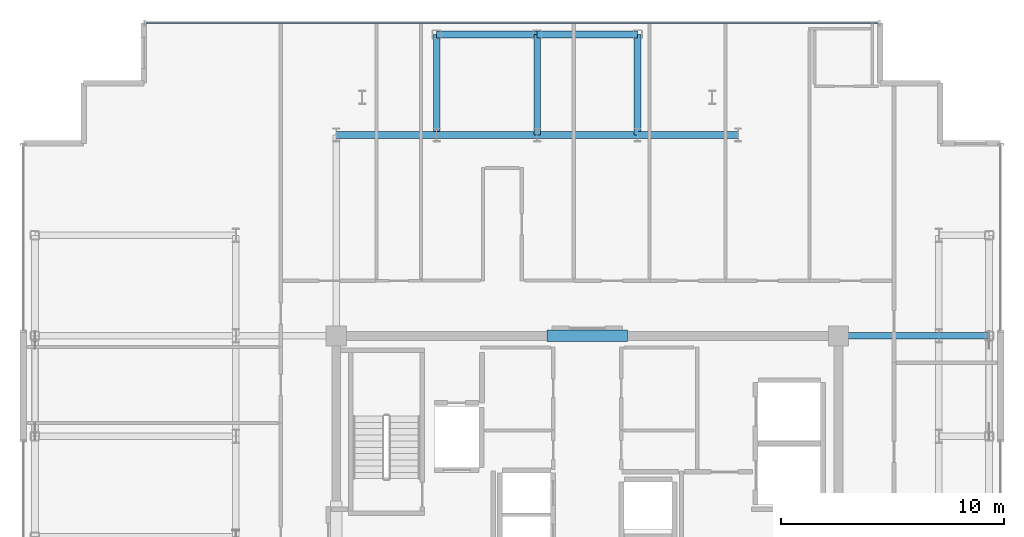
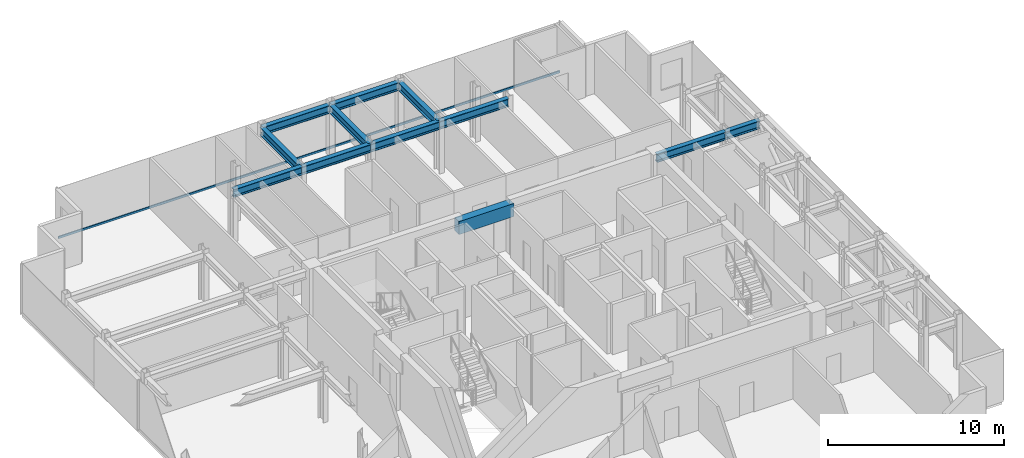
# One storey, part 8 of 16: 12 beams, 1 member, 1 element without a shape of its own.
"""IFC4 building model written with IfcOpenShell, lengths in metres."""

import ifcopenshell
import ifcopenshell.guid

model = None  # the IFC model being written
_history = None  # IfcOwnerHistory: only IFC2X3 demands one
_inside = {}  # id of a spatial element -> (the spatial element, [elements in it])
_under = {}  # id of a project, library or spatial element -> (it, [spatial elements below it])
_declared = {}  # id of a project -> (the project, [libraries it declares])
_typed = {}  # id of a type object -> (the type object, [elements of that type])
_made_of = {}  # id of a material, layer set ... -> (it, [elements and type objects made of it])


def new_model(schema):
    """Start an empty IFC model of exactly this schema.

    Asked for "IFC4X3", IfcOpenShell would pick the latest addendum, in which some entities
    have other attributes; the version numbers below select the first issue.
    IFC2X3 requires an IfcOwnerHistory on every rooted entity: one is made here for all.
    """
    global model, _history
    if schema == "IFC4X3":
        model = ifcopenshell.file(schema_version=(4, 3, 0, 0))
    else:
        model = ifcopenshell.file(schema=schema)
    _inside.clear()
    _under.clear()
    _declared.clear()
    _typed.clear()
    _made_of.clear()
    _history = None
    if model.schema == "IFC2X3":
        org = make("IfcOrganization", Name="unknown")
        user = make(
            "IfcPersonAndOrganization",
            ThePerson=make("IfcPerson", FamilyName="unknown"),
            TheOrganization=org,
        )
        app = make(
            "IfcApplication",
            ApplicationDeveloper=org,
            Version="unknown",
            ApplicationFullName="unknown",
            ApplicationIdentifier="unknown",
        )
        _history = make(
            "IfcOwnerHistory",
            OwningUser=user,
            OwningApplication=app,
            ChangeAction="ADDED",
            CreationDate=0,
        )
    return model


def make(cls, **values):
    """One entity of the class cls with the attributes given. An attribute that is None is left unset."""
    return model.create_entity(
        cls, **{name: value for name, value in values.items() if value is not None}
    )


def rooted(cls, **values):
    """An entity with a GlobalId (a new one), such as an element, a storey or a relation."""
    return make(cls, GlobalId=ifcopenshell.guid.new(), OwnerHistory=_history, **values)


def si_unit(unit_type, name, prefix=None):
    """IfcSIUnit, for example si_unit("LENGTHUNIT", "METRE", prefix="MILLI")."""
    return make("IfcSIUnit", UnitType=unit_type, Prefix=prefix, Name=name)


def assignment(units):
    """IfcUnitAssignment: the units of a project."""
    return None if units is None else make("IfcUnitAssignment", Units=units)


def point(xyz):
    """IfcCartesianPoint."""
    return None if xyz is None else make("IfcCartesianPoint", Coordinates=xyz)


def direction(xyz):
    """IfcDirection."""
    return None if xyz is None else make("IfcDirection", DirectionRatios=xyz)


def frame(location, z_axis=None, x_axis=None):
    """IfcAxis2Placement3D, a coordinate frame: its origin and axes. An axis left out is left unset."""
    return make(
        "IfcAxis2Placement3D",
        Location=point(location),
        Axis=direction(z_axis),
        RefDirection=direction(x_axis),
    )


def frame_2d(location, x_axis=None):
    """IfcAxis2Placement2D, a coordinate frame in the plane: its origin and x axis."""
    return make(
        "IfcAxis2Placement2D", Location=point(location), RefDirection=direction(x_axis)
    )


def origin():
    """The frame at (0, 0, 0) with its axes left unset."""
    return frame((0.0, 0.0, 0.0))


def origin_2d():
    """The frame at (0, 0) in the plane with its x axis left unset."""
    return frame_2d((0.0, 0.0))


def place(relative_to, where):
    """IfcLocalPlacement: puts the frame where relative to a parent placement (None: the world)."""
    return make(
        "IfcLocalPlacement", PlacementRelTo=relative_to, RelativePlacement=where
    )


def context(
    kind, dimensions, precision=None, world=None, true_north=None, identifier=None
):
    """IfcGeometricRepresentationContext, for example the 3D "Model" context."""
    return make(
        "IfcGeometricRepresentationContext",
        ContextIdentifier=identifier,
        ContextType=kind,
        CoordinateSpaceDimension=dimensions,
        Precision=precision,
        WorldCoordinateSystem=world,
        TrueNorth=true_north,
    )


def subcontext(parent, identifier, kind, view, scale=None):
    """IfcGeometricRepresentationSubContext, for example "Body" below "Model"."""
    return make(
        "IfcGeometricRepresentationSubContext",
        ContextIdentifier=identifier,
        ContextType=kind,
        ParentContext=parent,
        TargetScale=scale,
        TargetView=view,
    )


def project(units=None, contexts=None):
    """IfcProject with its units and contexts."""
    return rooted(
        "IfcProject",
        Name="project",
        RepresentationContexts=contexts,
        UnitsInContext=assignment(units),
    )


def spatial(cls, under=None, at=None, **own):
    """A site, building, storey or space (cls), placed at a placement, below another one or the project."""
    s = rooted(cls, ObjectPlacement=at, **own)
    if under is not None:
        _under.setdefault(under.id(), (under, []))[1].append(s)
    return s


def profile(cls, at=None, kind="AREA", **sizes):
    """A parametric profile (cls). Its sizes go by their IFC names, for example OverallWidth=200.0."""
    return make(cls, ProfileType=kind, Position=at, **sizes)


def rectangle(**sizes):
    """IfcRectangleProfileDef."""
    return profile("IfcRectangleProfileDef", **sizes)


def hollow_rectangle(**sizes):
    """IfcRectangleHollowProfileDef."""
    return profile("IfcRectangleHollowProfileDef", **sizes)


def i_section(**sizes):
    """IfcIShapeProfileDef."""
    return profile("IfcIShapeProfileDef", **sizes)


def extrude(swept, where, along, depth):
    """IfcExtrudedAreaSolid: the profile swept, set in the frame where, extruded along a direction by depth."""
    return make(
        "IfcExtrudedAreaSolid",
        SweptArea=swept,
        Position=where,
        ExtrudedDirection=direction(along),
        Depth=depth,
    )


def shape(context_of_items, identifier, shape_type, items):
    """IfcShapeRepresentation: the items that make up one representation, for example the "Body"."""
    return make(
        "IfcShapeRepresentation",
        ContextOfItems=context_of_items,
        RepresentationIdentifier=identifier,
        RepresentationType=shape_type,
        Items=items,
    )


def source(mapping_origin, context_of_items, identifier, shape_type, items):
    """IfcRepresentationMap: a shape defined once, which mapped items show again and again."""
    return make(
        "IfcRepresentationMap",
        MappingOrigin=mapping_origin,
        MappedRepresentation=shape(context_of_items, identifier, shape_type, items),
    )


def transform(
    local_origin,
    x_axis=None,
    y_axis=None,
    z_axis=None,
    scale=None,
    scale2=None,
    scale3=None,
    uniform=True,
):
    """IfcCartesianTransformationOperator3D, or its non-uniform kind. x_axis, y_axis, z_axis: its Axis1, 2, 3."""
    if uniform:
        return make(
            "IfcCartesianTransformationOperator3D",
            Axis1=direction(x_axis),
            Axis2=direction(y_axis),
            LocalOrigin=point(local_origin),
            Scale=scale,
            Axis3=direction(z_axis),
        )
    return make(
        "IfcCartesianTransformationOperator3DnonUniform",
        Axis1=direction(x_axis),
        Axis2=direction(y_axis),
        LocalOrigin=point(local_origin),
        Scale=scale,
        Axis3=direction(z_axis),
        Scale2=scale2,
        Scale3=scale3,
    )


def mapped(mapping_source, mapping_target):
    """IfcMappedItem: shows the shape of a source again, moved by a transform."""
    return make(
        "IfcMappedItem", MappingSource=mapping_source, MappingTarget=mapping_target
    )


def material(Name=None, Category=None):
    """IfcMaterial."""
    return make("IfcMaterial", Name=Name, Category=Category)


def layer(
    of_material, thickness, ventilated=None, Name=None, Category=None, Priority=None
):
    """IfcMaterialLayer: one layer of a wall or slab, of a material (None: an air gap)."""
    return make(
        "IfcMaterialLayer",
        Material=of_material,
        LayerThickness=thickness,
        IsVentilated=ventilated,
        Name=Name,
        Category=Category,
        Priority=Priority,
    )


def layer_set(layers, Name=None):
    """IfcMaterialLayerSet."""
    return make("IfcMaterialLayerSet", MaterialLayers=layers, LayerSetName=Name)


def material_profile(
    of_material, cross_section, Name=None, Category=None, Priority=None
):
    """IfcMaterialProfile: a cross section and its material."""
    return make(
        "IfcMaterialProfile",
        Name=Name,
        Material=of_material,
        Profile=cross_section,
        Priority=Priority,
        Category=Category,
    )


def profile_set(profiles, Name=None, composite=None):
    """IfcMaterialProfileSet."""
    return make(
        "IfcMaterialProfileSet",
        Name=Name,
        MaterialProfiles=profiles,
        CompositeProfile=composite,
    )


def made_of(thing, what):
    """Note that an element or type object is made of a material, layer set ...; save() writes the relation."""
    if what is not None:
        _made_of.setdefault(what.id(), (what, []))[1].append(thing)
    return thing


def type_object(cls, material=None, **own):
    """A type object (cls), such as IfcWallType, which elements share."""
    return made_of(rooted(cls, **own), material)


def element(
    cls,
    number,
    at=None,
    inside=None,
    cuts=None,
    type_object=None,
    material=None,
    context=None,
    identifier="Body",
    shape_type=None,
    held_by="IfcProductDefinitionShape",
    body=None,
    shapes=None,
    **own,
):
    """One element of the class cls, such as IfcWall. Its Tag is "e" and its number.

    at: its placement. inside: the storey or other place that contains it. cuts: it is an
    opening in that element (IfcRelVoidsElement). A single representation is given by context,
    identifier, shape_type and body (its items); several are given by shapes. held_by: the class
    of the entity that holds the representations. save() writes the other relations.
    """
    e = rooted(cls, Tag="e%d" % number, ObjectPlacement=at, **own)
    if body is not None:
        shapes = [shape(context, identifier, shape_type, body)]
    if shapes is not None:
        e.Representation = make(held_by, Representations=shapes)
    if inside is not None:
        _inside.setdefault(inside.id(), (inside, []))[1].append(e)
    if cuts is not None:
        rooted(
            "IfcRelVoidsElement", RelatingBuildingElement=cuts, RelatedOpeningElement=e
        )
    if type_object is not None:
        _typed.setdefault(type_object.id(), (type_object, []))[1].append(e)
    return made_of(e, material)


def aggregate(whole, parts):
    """IfcRelAggregates: a whole, such as a stair, and the parts it consists of."""
    return rooted("IfcRelAggregates", RelatingObject=whole, RelatedObjects=parts)


def save(model, path):
    """Write the relations noted so far, then the file.

    IfcRelAggregates (storeys below a building ...), IfcRelContainedInSpatialStructure (elements
    in a storey), IfcRelDefinesByType, IfcRelAssociatesMaterial and IfcRelDeclares: one each for
    every whole, place, type object, material and project.
    """
    for whole, parts in _under.values():
        aggregate(whole, parts)
    for where, things in _inside.values():
        rooted(
            "IfcRelContainedInSpatialStructure",
            RelatedElements=things,
            RelatingStructure=where,
        )
    for kind, things in _typed.values():
        rooted("IfcRelDefinesByType", RelatedObjects=things, RelatingType=kind)
    for what, things in _made_of.values():
        rooted("IfcRelAssociatesMaterial", RelatedObjects=things, RelatingMaterial=what)
    for by, libraries in _declared.values():
        rooted("IfcRelDeclares", RelatingContext=by, RelatedDefinitions=libraries)
    model.write(path)


model = new_model("IFC4")

# Units and contexts
model_context = context("Model", 3, precision=1e-05, world=origin(), true_north=direction((0.0, 1.0)))
body_context = subcontext(model_context, "Body", "Model", "MODEL_VIEW")
ifc_project = project(units=[si_unit("LENGTHUNIT", "METRE"), si_unit("AREAUNIT", "SQUARE_METRE"), si_unit("VOLUMEUNIT", "CUBIC_METRE"), si_unit("PLANEANGLEUNIT", "RADIAN"), si_unit("MASSUNIT", "GRAM", prefix="KILO")], contexts=[model_context])

# Site, building, storey
site_placement = place(None, origin())
site = spatial("IfcSite", under=ifc_project, at=site_placement, CompositionType="ELEMENT")
building_placement = place(site_placement, origin())
building = spatial("IfcBuilding", under=site, at=building_placement, Name="Nefas-Gora Pilgrimage Tower", CompositionType="ELEMENT")
storey_placement = place(building_placement, frame((0.0, 0.0, 345.199951171875)))
storey = spatial("IfcBuildingStorey", under=building, at=storey_placement, Name="L87", CompositionType="ELEMENT", Elevation=345.199951171875)

# Beams
ifc_material_1 = material(Name="Concrete C50/60", Category="concrete")
ifc_material_profile_1 = material_profile(ifc_material_1, rectangle(XDim=0.5, YDim=0.89990234375, at=origin_2d()), Name="RC 500x900")
ifc_profile_set_1 = profile_set([ifc_material_profile_1], Name="Concrete C50/60")
beam_type_1 = type_object("IfcBeamType", Name="BM-LIN-RC900", PredefinedType="LINTEL", material=ifc_profile_set_1)
shared_shape_1 = source(origin(), body_context, "Body", "SweptSolid", [
    extrude(rectangle(XDim=0.5, YDim=0.89990234375, at=origin_2d()), origin(), (0.0, 0.0, 1.0), 3.60009765625),
])
beam_1_placement = place(storey_placement, frame((-1.800048828125, 9.0, 3.050048828125), z_axis=(1.0, 0.0, 0.0), x_axis=(0.0, 1.0, 0.0)))
element("IfcBeam", 1, at=beam_1_placement, inside=storey, type_object=beam_type_1, Name="L87 Core Coupling Lintel Beam N", PredefinedType="LINTEL", context=body_context, shape_type="MappedRepresentation", body=[
    mapped(shared_shape_1, transform((0.0, 0.0, 0.0), x_axis=(1.0, 0.0, 0.0), y_axis=(0.0, 1.0, 0.0), z_axis=(0.0, 0.0, 1.0), scale=1.0)),
])
ifc_material_2 = material(Name="Steel S355", Category="steel")
ifc_material_profile_2 = material_profile(ifc_material_2, i_section(OverallWidth=0.300048828125, OverallDepth=0.550048828125, WebThickness=0.014892578125, FlangeThickness=0.029052734375, FilletRadius=0.027099609375, at=origin_2d()), Name="HEB 550")
ifc_profile_set_2 = profile_set([ifc_material_profile_2], Name="Steel S355")
beam_type_2 = type_object("IfcBeamType", Name="BM-SPN-HEB400", PredefinedType="SPANDREL", material=ifc_profile_set_2)
shared_shape_2 = source(origin(), body_context, "Body", "SweptSolid", [
    extrude(i_section(OverallWidth=0.300048828125, OverallDepth=0.550048828125, WebThickness=0.014892578125, FlangeThickness=0.029052734375, FilletRadius=0.027099609375, at=origin_2d()), origin(), (0.0, 0.0, 1.0), 4.5),
])
for number, where, z_axis, x_axis, name in (
    (2, (-6.75, 22.5, 3.22509765625), (1.0, 0.0, 0.0), (0.0, 1.0, 0.0), "L87 SP-04 beam"),
    (3, (-2.25, 22.5, 3.22509765625), (1.0, 0.0, 0.0), (0.0, 1.0, 0.0), "L87 SP-04 beam"),
):
    element("IfcBeam", number, at=place(storey_placement, frame(where, z_axis=z_axis, x_axis=x_axis)), inside=storey, type_object=beam_type_2, Name=name, PredefinedType="SPANDREL", context=body_context, shape_type="MappedRepresentation", body=[
        mapped(shared_shape_2, transform((0.0, 0.0, 0.0), x_axis=(1.0, 0.0, 0.0), y_axis=(0.0, 1.0, 0.0), z_axis=(0.0, 0.0, 1.0), scale=1.0)),
    ])
ifc_material_profile_3 = material_profile(ifc_material_2, i_section(OverallWidth=0.300048828125, OverallDepth=0.550048828125, WebThickness=0.014892578125, FlangeThickness=0.029052734375, FilletRadius=0.027099609375, at=origin_2d()), Name="HEB 550")
ifc_profile_set_3 = profile_set([ifc_material_profile_3], Name="Steel S355")
beam_type_3 = type_object("IfcBeamType", Name="BM-GIR-HEB550", PredefinedType="BEAM", material=ifc_profile_set_3)
shared_shape_3 = source(origin(), body_context, "Body", "SweptSolid", [
    extrude(i_section(OverallWidth=0.300048828125, OverallDepth=0.550048828125, WebThickness=0.014892578125, FlangeThickness=0.029052734375, FilletRadius=0.027099609375, at=origin_2d()), origin(), (0.0, 0.0, 1.0), 4.5),
])
for number, where, z_axis, x_axis, name in (
    (4, (-11.25, 18.0, 3.22509765625), (1.0, 0.0, 0.0), (0.0, 1.0, 0.0), "L87 G-05 beam"),
    (5, (-6.75, 18.0, 3.22509765625), (0.0, 1.0, 0.0), (-1.0, 0.0, 0.0), "L87 G-05 beam"),
    (6, (-6.75, 18.0, 3.22509765625), (1.0, 0.0, 0.0), (0.0, 1.0, 0.0), "L87 G-05 beam"),
    (7, (-2.25, 18.0, 3.22509765625), (0.0, 1.0, 0.0), (-1.0, 0.0, 0.0), "L87 G-05 beam"),
    (8, (-2.25, 18.0, 3.22509765625), (1.0, 0.0, 0.0), (0.0, 1.0, 0.0), "L87 G-05 beam"),
    (9, (2.25, 18.0, 3.22509765625), (0.0, 1.0, 0.0), (-1.0, 0.0, 0.0), "L87 G-05 beam"),
    (10, (2.25, 18.0, 3.22509765625), (1.0, 0.0, 0.0), (0.0, 1.0, 0.0), "L87 G-05 beam"),
    (11, (11.25, 9.0, 3.22509765625), (1.0, 0.0, 0.0), (0.0, 1.0, 0.0), "L87 G-05 beam"),
):
    element("IfcBeam", number, at=place(storey_placement, frame(where, z_axis=z_axis, x_axis=x_axis)), inside=storey, type_object=beam_type_3, Name=name, PredefinedType="BEAM", context=body_context, shape_type="MappedRepresentation", body=[
        mapped(shared_shape_3, transform((0.0, 0.0, 0.0), x_axis=(1.0, 0.0, 0.0), y_axis=(0.0, 1.0, 0.0), z_axis=(0.0, 0.0, 1.0), scale=1.0)),
    ])
shared_shape_4 = source(origin(), body_context, "Body", "SweptSolid", [
    extrude(i_section(OverallWidth=0.300048828125, OverallDepth=0.550048828125, WebThickness=0.014892578125, FlangeThickness=0.029052734375, FilletRadius=0.027099609375, at=origin_2d()), origin(), (0.0, 0.0, 1.0), 2.25),
])
beam_2_placement = place(storey_placement, frame((15.75, 9.0, 3.22509765625), z_axis=(1.0, 0.0, 0.0), x_axis=(0.0, 1.0, 0.0)))
element("IfcBeam", 12, at=beam_2_placement, inside=storey, type_object=beam_type_3, Name="L87 G-05 beam", PredefinedType="BEAM", context=body_context, shape_type="MappedRepresentation", body=[
    mapped(shared_shape_4, transform((0.0, 0.0, 0.0), x_axis=(1.0, 0.0, 0.0), y_axis=(0.0, 1.0, 0.0), z_axis=(0.0, 0.0, 1.0), scale=1.0)),
])

# Curtain wall, member
ifc_material_3 = material(Name="Dark ceramic-fritted solar-control aluminium-glass curtain wall", Category="aluminium")
ifc_layer = layer(ifc_material_3, 0.219970703125)
ifc_layer_set = layer_set([ifc_layer], Name="Dark ceramic-fritted solar-control aluminium-glass curtain wall")
curtain_wall_type = type_object("IfcCurtainWallType", Name="CW-SYS-4", PredefinedType="NOTDEFINED", material=ifc_layer_set)
curtain_wall_placement = place(storey_placement, origin())
curtain_wall = element("IfcCurtainWall", 13, at=curtain_wall_placement, inside=storey, type_object=curtain_wall_type, Name="L87 Unitised Curtain Wall CW4", PredefinedType="NOTDEFINED")
ifc_material_4 = material(Name="Anodised architectural aluminium", Category="aluminium")
ifc_material_profile_4 = material_profile(ifc_material_4, hollow_rectangle(XDim=0.080078125, YDim=0.159912109375, WallThickness=0.00439453125, InnerFilletRadius=0.00439453125, OuterFilletRadius=0.009033203125, at=origin_2d()), Name="ALU TRANSOM 80x160")
ifc_profile_set_4 = profile_set([ifc_material_profile_4], Name="Anodised architectural aluminium")
member_type = type_object("IfcMemberType", Name="CWM-TRN-4", PredefinedType="USERDEFINED", material=ifc_profile_set_4)
shared_shape_5 = source(origin(), body_context, "Body", "SweptSolid", [
    extrude(hollow_rectangle(XDim=0.080078125, YDim=0.159912109375, WallThickness=0.00439453125, InnerFilletRadius=0.00439453125, OuterFilletRadius=0.009033203125, at=origin_2d()), origin(), (0.0, 0.0, 1.0), 32.81005859375),
])
member_placement = place(storey_placement, frame((13.030029296875, 23.02001953125, 0.050048828125), z_axis=(-1.0, 0.0, 0.0), x_axis=(0.0, -1.0, 0.0)))
member = element("IfcMember", 14, at=member_placement, type_object=member_type, Name="CW4 Spandrel Transom", ObjectType="TRANSOM", PredefinedType="USERDEFINED", context=body_context, shape_type="MappedRepresentation", body=[
    mapped(shared_shape_5, transform((0.0, 0.0, 0.0), x_axis=(1.0, 0.0, 0.0), y_axis=(0.0, 1.0, 0.0), z_axis=(0.0, 0.0, 1.0), scale=1.0)),
])
aggregate(curtain_wall, [member])

save(model, "model.ifc")
